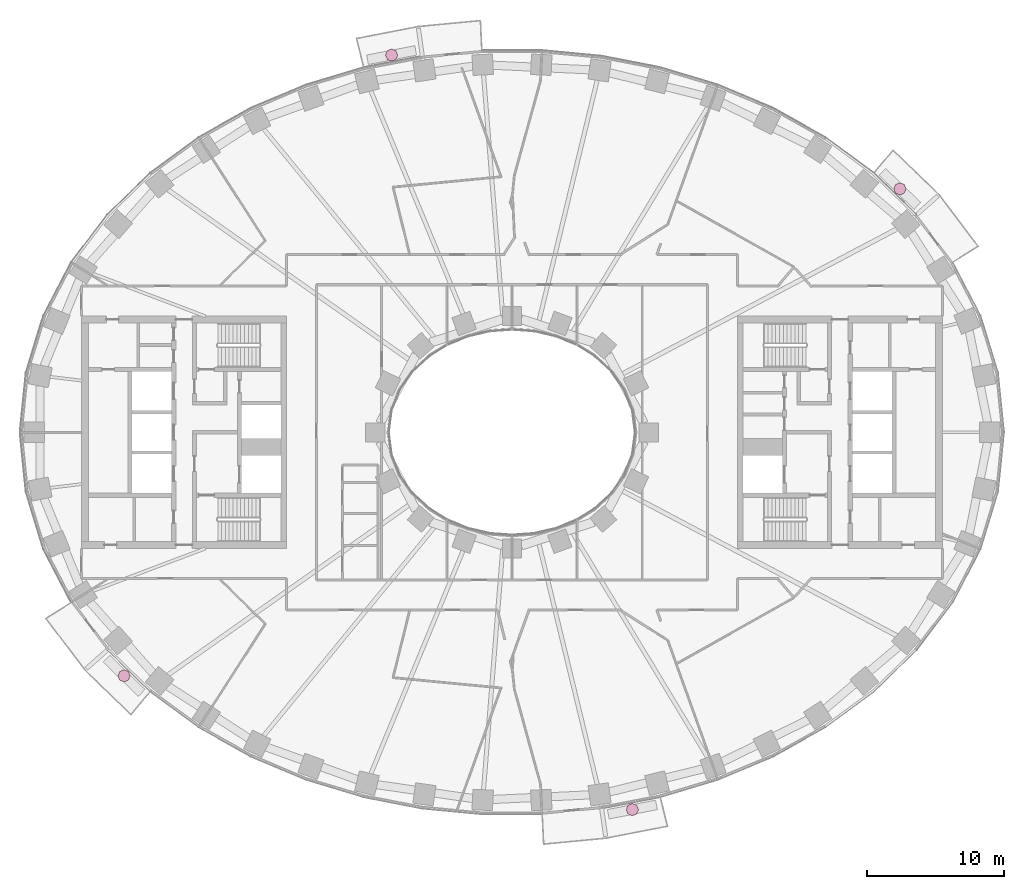
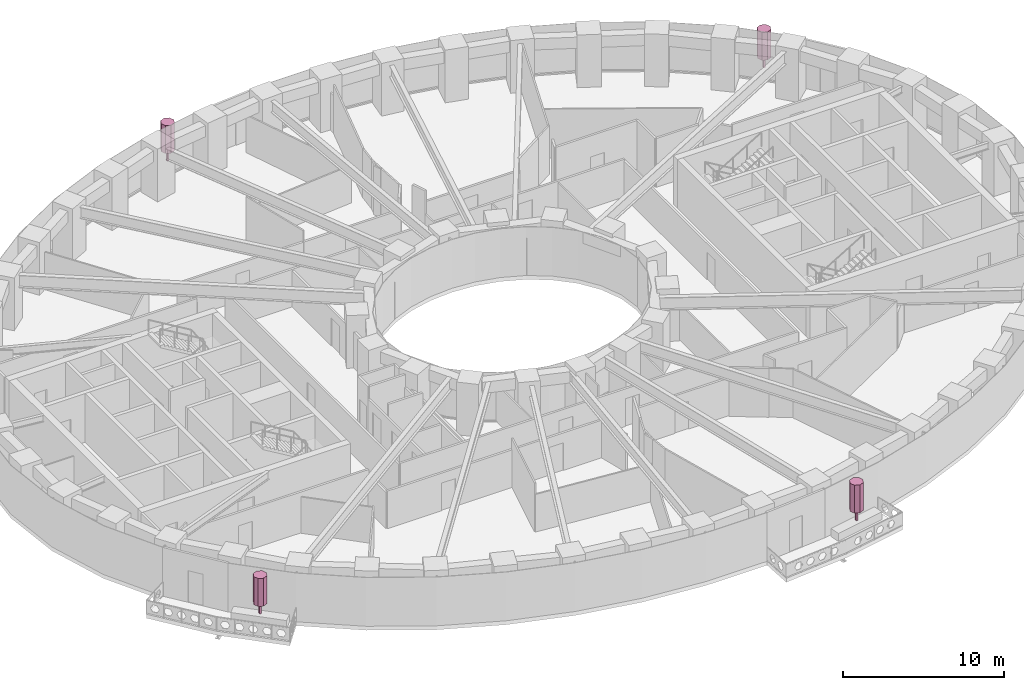
# One storey, part 16 of 16: 4 furnishings.
"""IFC4 building model written with IfcOpenShell, lengths in metres."""

from ifc_helpers import new_model, si_unit, direction, frame, origin, origin_2d, place, context, subcontext, project, spatial, polyline, rectangle, outline, extrude, material, type_object, element, save


model = new_model("IFC4")

# Units and contexts
model_context = context("Model", 3, precision=1e-05, world=origin(), true_north=direction((0.0, 1.0)))
body_context = subcontext(model_context, "Body", "Model", "MODEL_VIEW")
ifc_project = project(units=[si_unit("LENGTHUNIT", "METRE"), si_unit("AREAUNIT", "SQUARE_METRE"), si_unit("VOLUMEUNIT", "CUBIC_METRE"), si_unit("PLANEANGLEUNIT", "RADIAN"), si_unit("MASSUNIT", "GRAM", prefix="KILO")], contexts=[model_context])

# Site, building, storey
site_placement = place(None, origin())
site = spatial("IfcSite", under=ifc_project, at=site_placement, CompositionType="ELEMENT")
building_placement = place(site_placement, origin())
building = spatial("IfcBuilding", under=site, at=building_placement, Name="Noorbagh Ring Tower", CompositionType="ELEMENT")
storey_placement = place(building_placement, frame((0.0, 0.0, 42.5)))
storey = spatial("IfcBuildingStorey", under=building, at=storey_placement, Name="L08", CompositionType="ELEMENT", Elevation=42.5)

# Furnishings
ifc_material = material(Name="Planting foliage green")
furnishing_element_type = type_object("IfcFurnishingElementType", Name="ENV-TREE", material=ifc_material)
for number, where, z_axis, x_axis, name in (
    (1, (28.3837890625, 17.814208984375, 0.60009765625), (0.0, 0.0, 1.0), (1.0, 0.0, 0.0), "Tree BN01"),
    (2, (-8.807861328125, 27.603515625, 0.60009765625), (0.0, 0.0, 1.0), (1.0, 0.0, 0.0), "Tree BN04"),
    (3, (-28.3837890625, -17.814208984375, 0.60009765625), (0.0, 0.0, 1.0), (1.0, 0.0, 0.0), "Tree BS01"),
    (4, (8.807861328125, -27.603515625, 0.60009765625), (0.0, 0.0, 1.0), (1.0, 0.0, 0.0), "Tree BS04"),
):
    element("IfcFurnishingElement", number, at=place(storey_placement, frame(where, z_axis=z_axis, x_axis=x_axis)), inside=storey, type_object=furnishing_element_type, Name=name, context=body_context, shape_type="SweptSolid", body=[
        extrude(rectangle(XDim=0.1201171875, YDim=0.1201171875, at=origin_2d()), origin(), (0.0, 0.0, 1.0), 0.825927734375),
        extrude(outline(polyline([(0.449951171875, 0.0), (0.318115234375, 0.318115234375), (0.0, 0.449951171875), (-0.318115234375, 0.318115234375), (-0.449951171875, 0.0), (-0.318115234375, -0.318115234375), (0.0, -0.449951171875), (0.318115234375, -0.318115234375), (0.449951171875, 0.0)])), frame((0.0, 0.0, 0.825927734375)), (0.0, 0.0, 1.0), 2.1240234375),
    ])

save(model, "model.ifc")
